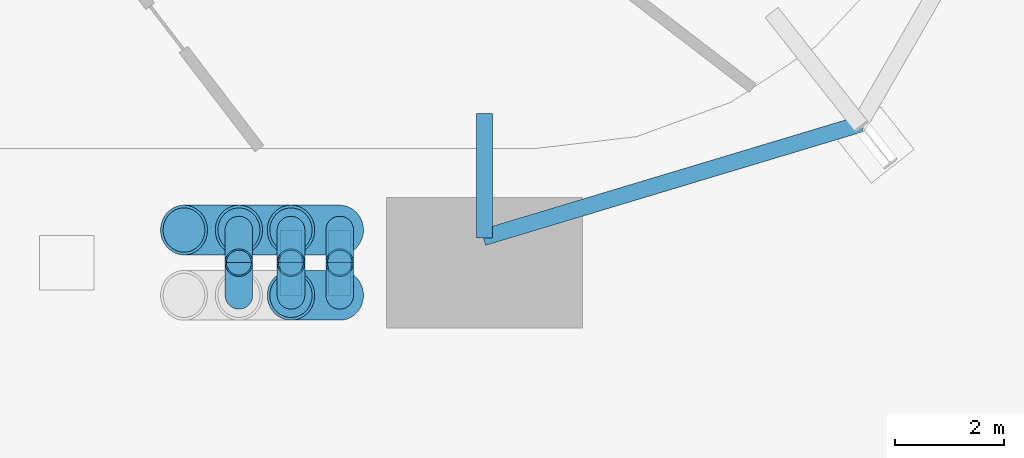
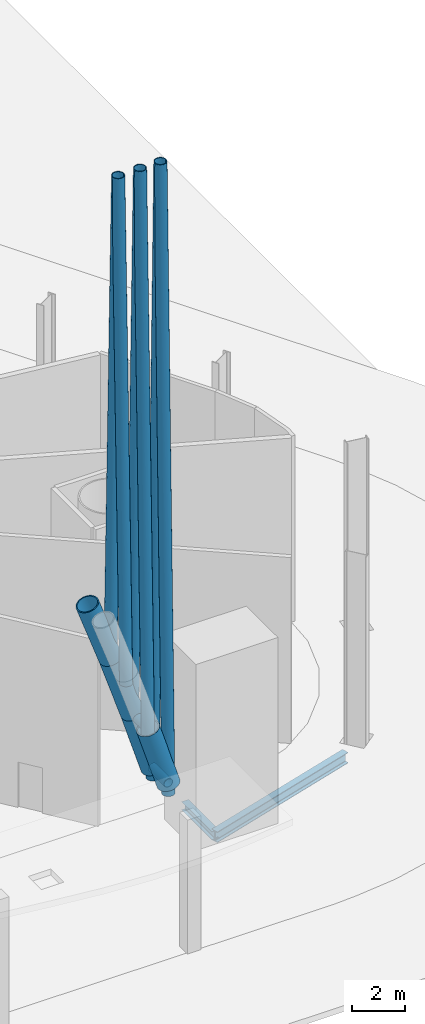
# One storey, part 6 of 21: 12 members, 2 beams.
"""IFC4 building model written with IfcOpenShell, lengths in metres."""

from ifc_helpers import new_model, si_unit, direction, frame, origin, origin_2d, place, context, subcontext, project, spatial, hollow_circle, i_section, extrude, material, material_profile, profile_set, type_object, element, save


model = new_model("IFC4")

# Units and contexts
model_context = context("Model", 3, precision=1e-05, world=origin(), true_north=direction((0.0, 1.0)))
body_context = subcontext(model_context, "Body", "Model", "MODEL_VIEW")
ifc_project = project(units=[si_unit("LENGTHUNIT", "METRE"), si_unit("AREAUNIT", "SQUARE_METRE"), si_unit("VOLUMEUNIT", "CUBIC_METRE"), si_unit("PLANEANGLEUNIT", "RADIAN"), si_unit("MASSUNIT", "GRAM", prefix="KILO")], contexts=[model_context])

# Site, building, storey
site_placement = place(None, origin())
site = spatial("IfcSite", under=ifc_project, at=site_placement, CompositionType="ELEMENT")
building_placement = place(site_placement, origin())
building = spatial("IfcBuilding", under=site, at=building_placement, Name="Spindle Arch Residences", CompositionType="ELEMENT")
storey_placement = place(building_placement, origin())
storey = spatial("IfcBuildingStorey", under=building, at=storey_placement, Name="L00", CompositionType="ELEMENT", Elevation=0.0)

# Members
ifc_material_1 = material(Name="Steel S355J2, intumescent coating R 240", Category="steel")
ifc_material_profile_1 = material_profile(ifc_material_1, hollow_circle(Radius=0.25390625, WallThickness=0.02490234375, at=origin_2d()), Name="CHS 508x25")
ifc_profile_set_1 = profile_set([ifc_material_profile_1], Name="Steel S355J2, intumescent coating R 240")
member_type_1 = type_object("IfcMemberType", Name="Arch hanger CHS 508x25", PredefinedType="BRACE", material=ifc_profile_set_1)
member_1_placement = place(storey_placement, frame((14.685791015625, -21.72998046875, 31.5419921875), z_axis=(0.0, -0.025855872186, -0.999665681052), x_axis=(1.0, 0.0, 0.0)))
element("IfcMember", 1, at=member_1_placement, inside=storey, type_object=member_type_1, Name="Arch hanger 1.21", PredefinedType="BRACE", context=body_context, shape_type="SweptSolid", body=[
    extrude(hollow_circle(Radius=0.25390625, WallThickness=0.02490234375, at=origin_2d()), origin(), (0.0, 0.0, 1.0), 23.199951171875),
])
member_2_placement = place(storey_placement, frame((15.642822265625, -21.72998046875, 31.5419921875), z_axis=(0.0, -0.023005129971, -0.999735346977), x_axis=(1.0, 0.0, 0.0)))
element("IfcMember", 2, at=member_2_placement, inside=storey, type_object=member_type_1, Name="Arch hanger 1.22", PredefinedType="BRACE", context=body_context, shape_type="SweptSolid", body=[
    extrude(hollow_circle(Radius=0.25390625, WallThickness=0.02490234375, at=origin_2d()), origin(), (0.0, 0.0, 1.0), 26.07470703125),
])
member_3_placement = place(storey_placement, frame((16.538818359375, -21.72998046875, 31.5419921875), z_axis=(0.0, -0.02073339447, -0.999785040073), x_axis=(1.0, 0.0, 0.0)))
element("IfcMember", 3, at=member_3_placement, inside=storey, type_object=member_type_1, Name="Arch hanger 1.23", PredefinedType="BRACE", context=body_context, shape_type="SweptSolid", body=[
    extrude(hollow_circle(Radius=0.25390625, WallThickness=0.02490234375, at=origin_2d()), origin(), (0.0, 0.0, 1.0), 28.931640625),
])
member_4_placement = place(storey_placement, frame((14.685791015625, -21.72998046875, 31.5419921875), z_axis=(0.0, 0.025866388497, -0.999665408997), x_axis=(-1.0, 0.0, 0.0)))
element("IfcMember", 4, at=member_4_placement, inside=storey, type_object=member_type_1, Name="Arch hanger 2.21", PredefinedType="BRACE", context=body_context, shape_type="SweptSolid", body=[
    extrude(hollow_circle(Radius=0.25390625, WallThickness=0.02490234375, at=origin_2d()), origin(), (0.0, 0.0, 1.0), 23.199951171875),
])
member_5_placement = place(storey_placement, frame((15.642822265625, -21.72998046875, 31.5419921875), z_axis=(0.0, 0.02301448811, -0.999735131591), x_axis=(-1.0, 0.0, 0.0)))
element("IfcMember", 5, at=member_5_placement, inside=storey, type_object=member_type_1, Name="Arch hanger 2.22", PredefinedType="BRACE", context=body_context, shape_type="SweptSolid", body=[
    extrude(hollow_circle(Radius=0.25390625, WallThickness=0.02490234375, at=origin_2d()), origin(), (0.0, 0.0, 1.0), 26.07470703125),
])
member_6_placement = place(storey_placement, frame((16.538818359375, -21.72998046875, 31.5419921875), z_axis=(0.0, 0.020741829341, -0.999784865116), x_axis=(-1.0, 0.0, 0.0)))
element("IfcMember", 6, at=member_6_placement, inside=storey, type_object=member_type_1, Name="Arch hanger 2.23", PredefinedType="BRACE", context=body_context, shape_type="SweptSolid", body=[
    extrude(hollow_circle(Radius=0.25390625, WallThickness=0.02490234375, at=origin_2d()), origin(), (0.0, 0.0, 1.0), 28.931640625),
])
ifc_material_2 = material(Name="Steel S355J2, intumescent coating R 240", Category="steel")
ifc_material_profile_2 = material_profile(ifc_material_2, hollow_circle(Radius=0.45703125, WallThickness=0.050048828125, at=origin_2d()), Name="CHS 914x50")
ifc_profile_set_2 = profile_set([ifc_material_profile_2], Name="Steel S355J2, intumescent coating R 240")
member_type_2 = type_object("IfcMemberType", Name="Arch rib CHS 914x50", PredefinedType="MEMBER", material=ifc_profile_set_2)
member_7_placement = place(storey_placement, frame((15.642822265625, -22.329833984375, 5.93115234375), z_axis=(0.299203270842, 0.0, -0.954189395622), x_axis=(0.0, 1.0, 0.0)))
element("IfcMember", 7, at=member_7_placement, inside=storey, type_object=member_type_2, Name="Arch rib 1.23", PredefinedType="MEMBER", context=body_context, shape_type="SweptSolid", body=[
    extrude(hollow_circle(Radius=0.45703125, WallThickness=0.050048828125, at=origin_2d()), origin(), (0.0, 0.0, 1.0), 2.99462890625),
])
member_8_placement = place(storey_placement, frame((13.676513671875, -21.1298828125, 11.643310546875), z_axis=(0.335262444935, 0.0, -0.942124775715), x_axis=(0.0, 1.0, 0.0)))
element("IfcMember", 8, at=member_8_placement, inside=storey, type_object=member_type_2, Name="Arch rib 2.21", PredefinedType="MEMBER", context=body_context, shape_type="SweptSolid", body=[
    extrude(hollow_circle(Radius=0.45703125, WallThickness=0.050048828125, at=origin_2d()), origin(), (0.0, 0.0, 1.0), 3.010498046875),
])
member_9_placement = place(storey_placement, frame((14.685791015625, -21.1298828125, 8.80712890625), z_axis=(0.315744442674, 0.0, -0.948844269056), x_axis=(0.0, 1.0, 0.0)))
element("IfcMember", 9, at=member_9_placement, inside=storey, type_object=member_type_2, Name="Arch rib 2.22", PredefinedType="MEMBER", context=body_context, shape_type="SweptSolid", body=[
    extrude(hollow_circle(Radius=0.45703125, WallThickness=0.050048828125, at=origin_2d()), origin(), (0.0, 0.0, 1.0), 3.031005859375),
])
member_10_placement = place(storey_placement, frame((15.642822265625, -21.1298828125, 5.93115234375), z_axis=(0.299203270842, 0.0, -0.954189395622), x_axis=(0.0, 1.0, 0.0)))
element("IfcMember", 10, at=member_10_placement, inside=storey, type_object=member_type_2, Name="Arch rib 2.23", PredefinedType="MEMBER", context=body_context, shape_type="SweptSolid", body=[
    extrude(hollow_circle(Radius=0.45703125, WallThickness=0.050048828125, at=origin_2d()), origin(), (0.0, 0.0, 1.0), 2.99462890625),
])
ifc_material_3 = material(Name="Steel S355J2, intumescent coating R 240", Category="steel")
ifc_material_profile_3 = material_profile(ifc_material_3, hollow_circle(Radius=0.203125, WallThickness=0.02001953125, at=origin_2d()), Name="CHS 406.4x20")
ifc_profile_set_3 = profile_set([ifc_material_profile_3], Name="Steel S355J2, intumescent coating R 240")
member_type_3 = type_object("IfcMemberType", Name="Arch tie CHS 406.4x20", PredefinedType="MEMBER", material=ifc_profile_set_3)
for number, where, z_axis, x_axis, name in (
    (11, (15.642822265625, -22.329833984375, 5.93115234375), (0.0, 1.0, 0.0), (-1.0, 0.0, 0.0), "Arch tie 22"),
    (12, (16.538818359375, -22.329833984375, 3.07373046875), (0.0, 1.0, 0.0), (-1.0, 0.0, 0.0), "Arch tie 23"),
):
    element("IfcMember", number, at=place(storey_placement, frame(where, z_axis=z_axis, x_axis=x_axis)), inside=storey, type_object=member_type_3, Name=name, PredefinedType="MEMBER", context=body_context, shape_type="SweptSolid", body=[
        extrude(hollow_circle(Radius=0.203125, WallThickness=0.02001953125, at=origin_2d()), origin(), (0.0, 0.0, 1.0), 1.199951171875),
    ])

# Beams
ifc_material_4 = material(Name="Steel S460ML, intumescent coating R 120", Category="steel")
ifc_material_profile_4 = material_profile(ifc_material_4, i_section(OverallWidth=0.300048828125, OverallDepth=0.5, WebThickness=0.014404296875, FlangeThickness=0.028076171875, FilletRadius=0.027099609375, at=origin_2d()), Name="HEB 500")
ifc_profile_set_4 = profile_set([ifc_material_profile_4], Name="Steel S460ML, intumescent coating R 120")
beam_type_1 = type_object("IfcBeamType", Name="Exoskeleton edge beam HEB 500", PredefinedType="BEAM", material=ifc_profile_set_4)
beam_1_placement = place(storey_placement, frame((19.177490234375, -21.26708984375, -0.949951171875), z_axis=(0.957564526429, 0.288218975303, 0.0), x_axis=(-0.288218975303, 0.957564526429, 0.0)))
element("IfcBeam", 13, at=beam_1_placement, inside=storey, type_object=beam_type_1, Name="Exoskeleton edge beam 3", PredefinedType="BEAM", context=body_context, shape_type="SweptSolid", body=[
    extrude(i_section(OverallWidth=0.300048828125, OverallDepth=0.5, WebThickness=0.014404296875, FlangeThickness=0.028076171875, FilletRadius=0.027099609375, at=origin_2d()), origin(), (0.0, 0.0, 1.0), 7.25),
])
ifc_material_5 = material(Name="Steel S460ML, intumescent coating R 120", Category="steel")
ifc_material_profile_5 = material_profile(ifc_material_5, i_section(OverallWidth=0.300048828125, OverallDepth=0.389892578125, WebThickness=0.010986328125, FlangeThickness=0.01904296875, FilletRadius=0.027099609375, at=origin_2d()), Name="HEA 400")
ifc_profile_set_5 = profile_set([ifc_material_profile_5], Name="Steel S460ML, intumescent coating R 120")
beam_type_2 = type_object("IfcBeamType", Name="Floor outrigger HEA 400", PredefinedType="BEAM", material=ifc_profile_set_5)
beam_2_placement = place(storey_placement, frame((19.2001953125, -21.27978515625, -0.89501953125), z_axis=(0.0, 1.0, 0.0), x_axis=(-1.0, 0.0, 0.0)))
element("IfcBeam", 14, at=beam_2_placement, inside=storey, type_object=beam_type_2, Name="Floor outrigger 3", PredefinedType="BEAM", context=body_context, shape_type="SweptSolid", body=[
    extrude(i_section(OverallWidth=0.300048828125, OverallDepth=0.389892578125, WebThickness=0.010986328125, FlangeThickness=0.01904296875, FilletRadius=0.027099609375, at=origin_2d()), origin(), (0.0, 0.0, 1.0), 2.2939453125),
])

save(model, "model.ifc")
